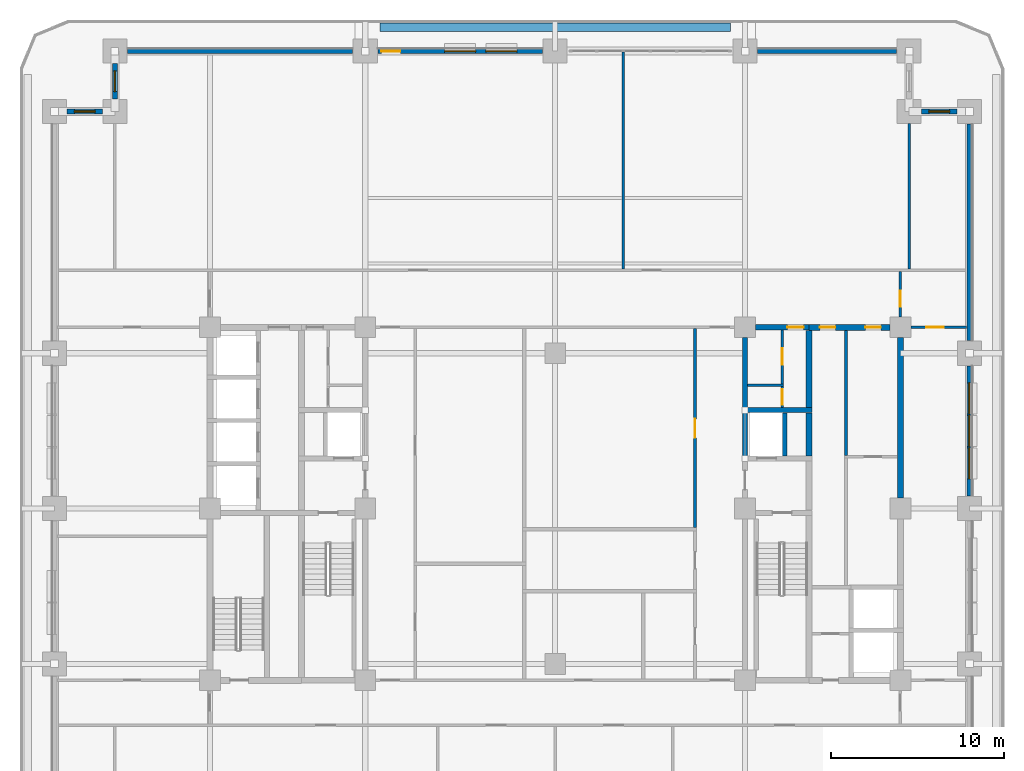
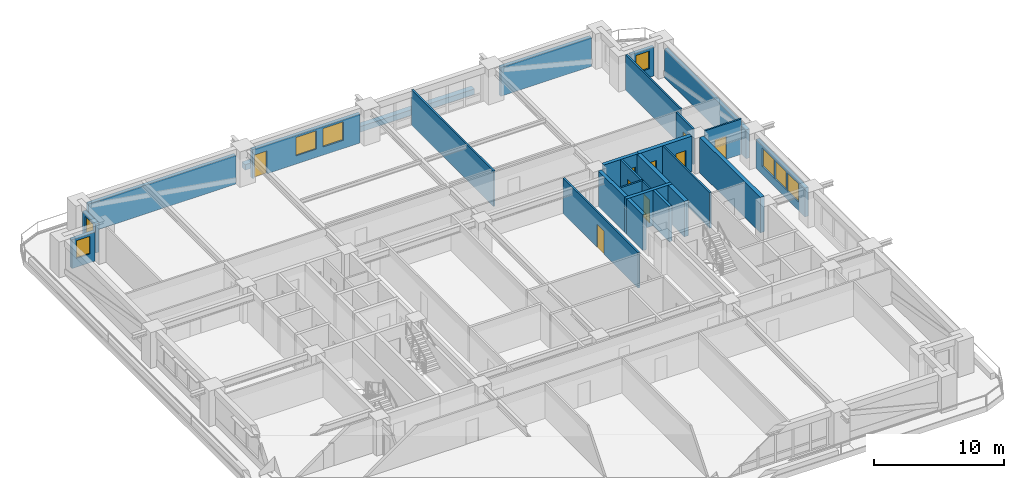
# One storey, part 11 of 20: 27 walls, 9 doors, 8 windows, 17 openings.
"""IFC4 building model written with IfcOpenShell, lengths in metres."""

from ifc_helpers import new_model, si_unit, direction, frame, frame_2d, origin, place, context, subcontext, project, spatial, rectangle, extrude, material, layer, layer_set, type_object, element, fill, save


model = new_model("IFC4")

# Units and contexts
model_context = context("Model", 3, precision=1e-05, world=origin(), true_north=direction((0.0, 1.0)))
body_context = subcontext(model_context, "Body", "Model", "MODEL_VIEW")
ifc_project = project(units=[si_unit("LENGTHUNIT", "METRE"), si_unit("AREAUNIT", "SQUARE_METRE"), si_unit("VOLUMEUNIT", "CUBIC_METRE"), si_unit("PLANEANGLEUNIT", "RADIAN"), si_unit("MASSUNIT", "GRAM", prefix="KILO")], contexts=[model_context])

# Site, building, storey
site_placement = place(None, origin())
site = spatial("IfcSite", under=ifc_project, at=site_placement, CompositionType="ELEMENT")
building_placement = place(site_placement, origin())
building = spatial("IfcBuilding", under=site, at=building_placement, Name="Zulmaris Gate Convention Tower", CompositionType="ELEMENT")
storey_placement = place(building_placement, frame((0.0, 0.0, 71.469970703125)))
storey = spatial("IfcBuildingStorey", under=building, at=storey_placement, Name="L17", CompositionType="ELEMENT", Elevation=71.469970703125)

# Walls
ifc_material_1 = material(Name="Concrete C50/60", Category="concrete")
ifc_layer_1 = layer(ifc_material_1, 0.25, Name="Concrete C50/60")
ifc_layer_set_1 = layer_set([ifc_layer_1], Name="Concrete C50/60")
wall_type_1 = type_object("IfcWallType", Name="CORE-250", PredefinedType="SOLIDWALL", material=ifc_layer_set_1)
wall_1_placement = place(storey_placement, frame((13.300048828125, 3.052001953125, 0.0), z_axis=(0.0, 0.0, 1.0), x_axis=(0.0, 1.0, 0.0)))
element("IfcWall", 1, at=wall_1_placement, inside=storey, type_object=wall_type_1, Name="WL-L17-062", PredefinedType="SOLIDWALL", context=body_context, shape_type="SweptSolid", body=[
    extrude(rectangle(XDim=2.49609375, YDim=0.25, at=frame_2d((1.248046875, 0.0))), origin(), (0.0, 0.0, 1.0), 3.320068359375),
])
ifc_layer_2 = layer(ifc_material_1, 0.300048828125, Name="Concrete C50/60")
ifc_layer_set_2 = layer_set([ifc_layer_2], Name="Concrete C50/60")
wall_type_2 = type_object("IfcWallType", Name="CORE-300", PredefinedType="SHEAR", material=ifc_layer_set_2)
wall_2_placement = place(storey_placement, frame((10.85009765625, 5.699951171875, 0.0), z_axis=(0.0, 0.0, 1.0), x_axis=(1.0, 0.0, 0.0)))
element("IfcWall", 2, at=wall_2_placement, inside=storey, type_object=wall_type_2, Name="WL-L17-014", PredefinedType="SHEAR", context=body_context, shape_type="SweptSolid", body=[
    extrude(rectangle(XDim=4.02490234375, YDim=0.300048828125, at=frame_2d((2.012451171875, 0.0))), origin(), (0.0, 0.0, 1.0), 3.320068359375),
])

# Wall, opening, door
wall_3_placement = place(storey_placement, frame((11.60400390625, 10.5, 0.0), z_axis=(0.0, 0.0, 1.0), x_axis=(1.0, 0.0, 0.0)))
wall_3 = element("IfcWall", 3, at=wall_3_placement, inside=storey, type_object=wall_type_2, Name="WL-L17-018", PredefinedType="SHEAR", context=body_context, shape_type="SweptSolid", body=[
    extrude(rectangle(XDim=3.095947265625, YDim=0.300048828125, at=frame_2d((1.5478515625, 0.0))), origin(), (0.0, 0.0, 1.0), 3.320068359375),
])
opening_1_placement = place(wall_3_placement, frame((1.841064453125, 0.0, 0.0)))
opening_1 = element("IfcOpeningElement", 4, at=opening_1_placement, cuts=wall_3, Name="Opening D-11", PredefinedType="OPENING", context=body_context, shape_type="SweptSolid", body=[
    extrude(rectangle(XDim=0.949951171875, YDim=2.14990234375, at=frame_2d((0.47509765625, 1.074951171875))), frame((0.0, 0.16015625, 0.0), z_axis=(0.0, -1.0, 0.0), x_axis=(1.0, 0.0, 0.0)), (0.0, 0.0, 1.0), 0.320068359375),
])
ifc_material_2 = material(Name="Fire-Rated Timber", Category="wood")
door_type_1 = type_object("IfcDoorType", Name="DR-950-FD", OperationType="NOTDEFINED", PredefinedType="DOOR", material=ifc_material_2)
door_1_placement = place(opening_1_placement, origin())
door_1 = element("IfcDoor", 5, at=door_1_placement, inside=storey, type_object=door_type_1, Name="L17 Core East Passage Door 10", OperationType="SINGLE_SWING_LEFT", OverallHeight=2.14990234375, OverallWidth=0.949951171875, PredefinedType="DOOR", context=body_context, shape_type="SweptSolid", body=[
    extrude(rectangle(XDim=0.949951171875, YDim=2.14990234375, at=frame_2d((0.47509765625, 1.074951171875))), frame((0.0, 0.02490234375, 0.0), z_axis=(0.0, -1.0, 0.0), x_axis=(1.0, 0.0, 0.0)), (0.0, 0.0, 1.0), 0.050048828125),
])
fill(opening_1, door_1)

# Walls
wall_4_placement = place(storey_placement, frame((11.0, 3.052001953125, 0.0), z_axis=(0.0, 0.0, 1.0), x_axis=(0.0, 1.0, 0.0)))
element("IfcWall", 6, at=wall_4_placement, inside=storey, type_object=wall_type_2, Name="WL-L17-059", PredefinedType="SHEAR", context=body_context, shape_type="SweptSolid", body=[
    extrude(rectangle(XDim=2.49609375, YDim=0.300048828125, at=frame_2d((1.248046875, 0.0))), origin(), (0.0, 0.0, 1.0), 3.320068359375),
])
wall_5_placement = place(storey_placement, frame((11.0, 5.85205078125, 0.0), z_axis=(0.0, 0.0, 1.0), x_axis=(0.0, 1.0, 0.0)))
element("IfcWall", 7, at=wall_5_placement, inside=storey, type_object=wall_type_2, Name="WL-L17-060", PredefinedType="SHEAR", context=body_context, shape_type="SweptSolid", body=[
    extrude(rectangle(XDim=4.0439453125, YDim=0.300048828125, at=frame_2d((2.02197265625, 0.0))), origin(), (0.0, 0.0, 1.0), 3.320068359375),
])

# Wall, openings, doors
ifc_material_3 = material(Name="Concrete C55/67", Category="concrete")
ifc_layer_3 = layer(ifc_material_3, 0.35009765625, Name="Concrete C55/67")
ifc_layer_set_3 = layer_set([ifc_layer_3], Name="Concrete C55/67")
wall_type_3 = type_object("IfcWallType", Name="CORE-350", PredefinedType="SHEAR", material=ifc_layer_set_3)
wall_6_placement = place(storey_placement, frame((14.699951171875, 10.5, 0.0), z_axis=(0.0, 0.0, 1.0), x_axis=(1.0, 0.0, 0.0)))
wall_6 = element("IfcWall", 8, at=wall_6_placement, inside=storey, type_object=wall_type_3, Name="WL-L17-019", PredefinedType="SHEAR", context=body_context, shape_type="SweptSolid", body=[
    extrude(rectangle(XDim=4.696044921875, YDim=0.35009765625, at=frame_2d((2.34814453125, 0.0))), origin(), (0.0, 0.0, 1.0), 3.320068359375),
])
opening_2_placement = place(wall_6_placement, frame((0.6298828125, 0.0, 0.0)))
opening_2 = element("IfcOpeningElement", 9, at=opening_2_placement, cuts=wall_6, Name="Opening D-12", PredefinedType="OPENING", context=body_context, shape_type="SweptSolid", body=[
    extrude(rectangle(XDim=0.89990234375, YDim=2.14990234375, at=frame_2d((0.449951171875, 1.074951171875))), frame((0.0, 0.18505859375, 0.0), z_axis=(0.0, -1.0, 0.0), x_axis=(1.0, 0.0, 0.0)), (0.0, 0.0, 1.0), 0.3701171875),
])
opening_3_placement = place(wall_6_placement, frame((3.27001953125, 0.0, 0.0)))
opening_3 = element("IfcOpeningElement", 10, at=opening_3_placement, cuts=wall_6, Name="Opening D-12", PredefinedType="OPENING", context=body_context, shape_type="SweptSolid", body=[
    extrude(rectangle(XDim=0.89990234375, YDim=2.14990234375, at=frame_2d((0.449951171875, 1.074951171875))), frame((0.0, 0.18505859375, 0.0), z_axis=(0.0, -1.0, 0.0), x_axis=(1.0, 0.0, 0.0)), (0.0, 0.0, 1.0), 0.3701171875),
])
door_type_2 = type_object("IfcDoorType", Name="DR-900-FD", OperationType="NOTDEFINED", PredefinedType="DOOR", material=ifc_material_2)
door_2_placement = place(opening_2_placement, origin())
door_2 = element("IfcDoor", 11, at=door_2_placement, inside=storey, type_object=door_type_2, Name="L17 East Comms Door 21", OperationType="SINGLE_SWING_RIGHT", OverallHeight=2.14990234375, OverallWidth=0.89990234375, PredefinedType="DOOR", context=body_context, shape_type="SweptSolid", body=[
    extrude(rectangle(XDim=0.89990234375, YDim=2.14990234375, at=frame_2d((0.449951171875, 1.074951171875))), frame((0.0, 0.02490234375, 0.0), z_axis=(0.0, -1.0, 0.0), x_axis=(1.0, 0.0, 0.0)), (0.0, 0.0, 1.0), 0.050048828125),
])
fill(opening_2, door_2)
door_3_placement = place(opening_3_placement, origin())
door_3 = element("IfcDoor", 12, at=door_3_placement, inside=storey, type_object=door_type_2, Name="L17 East Archive Vault Door 22", OperationType="SINGLE_SWING_LEFT", OverallHeight=2.14990234375, OverallWidth=0.89990234375, PredefinedType="DOOR", context=body_context, shape_type="SweptSolid", body=[
    extrude(rectangle(XDim=0.89990234375, YDim=2.14990234375, at=frame_2d((0.449951171875, 1.074951171875))), frame((0.0, 0.02490234375, 0.0), z_axis=(0.0, -1.0, 0.0), x_axis=(1.0, 0.0, 0.0)), (0.0, 0.0, 1.0), 0.050048828125),
])
fill(opening_3, door_3)

# Walls
wall_7_placement = place(storey_placement, frame((14.699951171875, 3.052001953125, 0.0), z_axis=(0.0, 0.0, 1.0), x_axis=(0.0, 1.0, 0.0)))
element("IfcWall", 13, at=wall_7_placement, inside=storey, type_object=wall_type_3, Name="WL-L17-065", PredefinedType="SHEAR", context=body_context, shape_type="SweptSolid", body=[
    extrude(rectangle(XDim=2.49609375, YDim=0.35009765625, at=frame_2d((1.248046875, 0.0))), origin(), (0.0, 0.0, 1.0), 3.320068359375),
])
wall_8_placement = place(storey_placement, frame((14.699951171875, 5.85205078125, 0.0), z_axis=(0.0, 0.0, 1.0), x_axis=(0.0, 1.0, 0.0)))
element("IfcWall", 14, at=wall_8_placement, inside=storey, type_object=wall_type_3, Name="WL-L17-066", PredefinedType="SHEAR", context=body_context, shape_type="SweptSolid", body=[
    extrude(rectangle(XDim=4.470947265625, YDim=0.35009765625, at=frame_2d((2.2353515625, 0.0))), origin(), (0.0, 0.0, 1.0), 3.320068359375),
])
wall_9_placement = place(storey_placement, frame((20.0, 0.60400390625, 0.0), z_axis=(0.0, 0.0, 1.0), x_axis=(0.0, 1.0, 0.0)))
element("IfcWall", 15, at=wall_9_placement, inside=storey, type_object=wall_type_3, Name="WL-L17-071S1", PredefinedType="SHEAR", context=body_context, shape_type="SweptSolid", body=[
    extrude(rectangle(XDim=9.2919921875, YDim=0.35009765625, at=frame_2d((4.64599609375, 0.0))), origin(), (0.0, 0.0, 1.0), 3.320068359375),
])
ifc_material_4 = material(Name="Gypsum Metal Stud Partition")
ifc_layer_4 = layer(ifc_material_4, 0.14990234375, Name="Gypsum Metal Stud Partition")
ifc_layer_set_4 = layer_set([ifc_layer_4], Name="Gypsum Metal Stud Partition")
wall_type_4 = type_object("IfcWallType", Name="PART-150", PredefinedType="PARTITIONING", material=ifc_layer_set_4)
wall_10_placement = place(storey_placement, frame((11.153076171875, 7.14990234375, 0.0), z_axis=(0.0, 0.0, 1.0), x_axis=(1.0, 0.0, 0.0)))
element("IfcWall", 16, at=wall_10_placement, inside=storey, type_object=wall_type_4, Name="WL-L17-032", PredefinedType="PARTITIONING", context=body_context, shape_type="SweptSolid", body=[
    extrude(rectangle(XDim=2.072021484375, YDim=0.14990234375, at=frame_2d((1.0361328125, 0.0))), origin(), (0.0, 0.0, 1.0), 3.320068359375),
])

# Wall, opening, door
wall_11_placement = place(storey_placement, frame((20.60595703125, 10.5, 0.0), z_axis=(0.0, 0.0, 1.0), x_axis=(1.0, 0.0, 0.0)))
wall_11 = element("IfcWall", 17, at=wall_11_placement, inside=storey, type_object=wall_type_4, Name="WL-L17-035", PredefinedType="PARTITIONING", context=body_context, shape_type="SweptSolid", body=[
    extrude(rectangle(XDim=3.22900390625, YDim=0.14990234375, at=frame_2d((1.614501953125, 0.0))), origin(), (0.0, 0.0, 1.0), 3.320068359375),
])
opening_4_placement = place(wall_11_placement, frame((0.89404296875, 0.0, 0.0)))
opening_4 = element("IfcOpeningElement", 18, at=opening_4_placement, cuts=wall_11, Name="Opening D-10", PredefinedType="OPENING", context=body_context, shape_type="SweptSolid", body=[
    extrude(rectangle(XDim=1.0, YDim=2.14990234375, at=frame_2d((0.5, 1.074951171875))), frame((0.0, 0.0849609375, 0.0), z_axis=(0.0, -1.0, 0.0), x_axis=(1.0, 0.0, 0.0)), (0.0, 0.0, 1.0), 0.169921875),
])
door_type_3 = type_object("IfcDoorType", Name="DR-1000-FD", OperationType="NOTDEFINED", PredefinedType="DOOR", material=ifc_material_2)
door_4_placement = place(opening_4_placement, origin())
door_4 = element("IfcDoor", 19, at=door_4_placement, inside=storey, type_object=door_type_3, Name="L17 East Workplace North Door 46", OperationType="SINGLE_SWING_LEFT", OverallHeight=2.14990234375, OverallWidth=1.0, PredefinedType="DOOR", context=body_context, shape_type="SweptSolid", body=[
    extrude(rectangle(XDim=1.0, YDim=2.14990234375, at=frame_2d((0.5, 1.074951171875))), frame((0.0, 0.02490234375, 0.0), z_axis=(0.0, -1.0, 0.0), x_axis=(1.0, 0.0, 0.0)), (0.0, 0.0, 1.0), 0.050048828125),
])
fill(opening_4, door_4)

# Wall
wall_12_placement = place(storey_placement, frame((3.949951171875, 13.8779296875, 0.0), z_axis=(0.0, 0.0, 1.0), x_axis=(0.0, 1.0, 0.0)))
element("IfcWall", 20, at=wall_12_placement, inside=storey, type_object=wall_type_4, Name="WL-L17-086", PredefinedType="PARTITIONING", context=body_context, shape_type="SweptSolid", body=[
    extrude(rectangle(XDim=12.56201171875, YDim=0.14990234375, at=frame_2d((6.281005859375, 0.0))), origin(), (0.0, 0.0, 1.0), 3.320068359375),
])

# Wall, opening, door
wall_13_placement = place(storey_placement, frame((8.10009765625, -1.096923828125, 0.0), z_axis=(0.0, 0.0, 1.0), x_axis=(0.0, 1.0, 0.0)))
wall_13 = element("IfcWall", 21, at=wall_13_placement, inside=storey, type_object=wall_type_4, Name="WL-L17-091", PredefinedType="PARTITIONING", context=body_context, shape_type="SweptSolid", body=[
    extrude(rectangle(XDim=11.51904296875, YDim=0.14990234375, at=frame_2d((5.759521484375, 0.0))), origin(), (0.0, 0.0, 1.0), 3.320068359375),
])
opening_5_placement = place(wall_13_placement, frame((5.197021484375, 0.0, 0.0)))
opening_5 = element("IfcOpeningElement", 22, at=opening_5_placement, cuts=wall_13, Name="Opening D-08", PredefinedType="OPENING", context=body_context, shape_type="SweptSolid", body=[
    extrude(rectangle(XDim=1.10009765625, YDim=2.14990234375, at=frame_2d((0.550048828125, 1.074951171875))), frame((0.0, 0.0849609375, 0.0), z_axis=(0.0, -1.0, 0.0), x_axis=(1.0, 0.0, 0.0)), (0.0, 0.0, 1.0), 0.169921875),
])
ifc_material_5 = material(Name="Fire-Rated Steel", Category="steel")
door_type_4 = type_object("IfcDoorType", Name="DR-1100-FD", OperationType="NOTDEFINED", PredefinedType="DOOR", material=ifc_material_5)
door_5_placement = place(opening_5_placement, origin())
door_5 = element("IfcDoor", 23, at=door_5_placement, inside=storey, type_object=door_type_4, Name="L17 Seminar Forum Door 36", OperationType="SINGLE_SWING_LEFT", OverallHeight=2.14990234375, OverallWidth=1.10009765625, PredefinedType="DOOR", context=body_context, shape_type="SweptSolid", body=[
    extrude(rectangle(XDim=1.10009765625, YDim=2.14990234375, at=frame_2d((0.550048828125, 1.074951171875))), frame((0.0, 0.02490234375, 0.0), z_axis=(0.0, -1.0, 0.0), x_axis=(1.0, 0.0, 0.0)), (0.0, 0.0, 1.0), 0.050048828125),
])
fill(opening_5, door_5)

wall_14_placement = place(storey_placement, frame((13.14990234375, 5.85302734375, 0.0), z_axis=(0.0, 0.0, 1.0), x_axis=(0.0, 1.0, 0.0)))
wall_14 = element("IfcWall", 24, at=wall_14_placement, inside=storey, type_object=wall_type_4, Name="WL-L17-092", PredefinedType="PARTITIONING", context=body_context, shape_type="SweptSolid", body=[
    extrude(rectangle(XDim=1.218994140625, YDim=0.14990234375, at=frame_2d((0.609375, 0.0))), origin(), (0.0, 0.0, 1.0), 3.320068359375),
])
opening_6_placement = place(wall_14_placement, frame((0.1689453125, 0.0, 0.0)))
opening_6 = element("IfcOpeningElement", 25, at=opening_6_placement, cuts=wall_14, Name="Opening D-12", PredefinedType="OPENING", context=body_context, shape_type="SweptSolid", body=[
    extrude(rectangle(XDim=0.89990234375, YDim=2.14990234375, at=frame_2d((0.449951171875, 1.074951171875))), frame((0.0, 0.0849609375, 0.0), z_axis=(0.0, -1.0, 0.0), x_axis=(1.0, 0.0, 0.0)), (0.0, 0.0, 1.0), 0.169921875),
])
door_6_placement = place(opening_6_placement, origin())
door_6 = element("IfcDoor", 26, at=door_6_placement, inside=storey, type_object=door_type_2, Name="L17 Core Staff WC Door 11", OperationType="SINGLE_SWING_RIGHT", OverallHeight=2.14990234375, OverallWidth=0.89990234375, PredefinedType="DOOR", context=body_context, shape_type="SweptSolid", body=[
    extrude(rectangle(XDim=0.89990234375, YDim=2.14990234375, at=frame_2d((0.449951171875, 1.074951171875))), frame((0.0, 0.02490234375, 0.0), z_axis=(0.0, -1.0, 0.0), x_axis=(1.0, 0.0, 0.0)), (0.0, 0.0, 1.0), 0.050048828125),
])
fill(opening_6, door_6)

wall_15_placement = place(storey_placement, frame((13.14990234375, 7.22802734375, 0.0), z_axis=(0.0, 0.0, 1.0), x_axis=(0.0, 1.0, 0.0)))
wall_15 = element("IfcWall", 27, at=wall_15_placement, inside=storey, type_object=wall_type_4, Name="WL-L17-093", PredefinedType="PARTITIONING", context=body_context, shape_type="SweptSolid", body=[
    extrude(rectangle(XDim=3.118896484375, YDim=0.14990234375, at=frame_2d((1.5595703125, 0.0))), origin(), (0.0, 0.0, 1.0), 3.320068359375),
])
opening_7_placement = place(wall_15_placement, frame((1.096923828125, 0.0, 0.0)))
opening_7 = element("IfcOpeningElement", 28, at=opening_7_placement, cuts=wall_15, Name="Opening D-11", PredefinedType="OPENING", context=body_context, shape_type="SweptSolid", body=[
    extrude(rectangle(XDim=0.949951171875, YDim=2.14990234375, at=frame_2d((0.47509765625, 1.074951171875))), frame((0.0, 0.0849609375, 0.0), z_axis=(0.0, -1.0, 0.0), x_axis=(1.0, 0.0, 0.0)), (0.0, 0.0, 1.0), 0.169921875),
])
door_7_placement = place(opening_7_placement, origin())
door_7 = element("IfcDoor", 29, at=door_7_placement, inside=storey, type_object=door_type_1, Name="L17 Core Hygiene Store Door 12", OperationType="SINGLE_SWING_LEFT", OverallHeight=2.14990234375, OverallWidth=0.949951171875, PredefinedType="DOOR", context=body_context, shape_type="SweptSolid", body=[
    extrude(rectangle(XDim=0.949951171875, YDim=2.14990234375, at=frame_2d((0.47509765625, 1.074951171875))), frame((0.0, 0.02490234375, 0.0), z_axis=(0.0, -1.0, 0.0), x_axis=(1.0, 0.0, 0.0)), (0.0, 0.0, 1.0), 0.050048828125),
])
fill(opening_7, door_7)

# Wall
wall_16_placement = place(storey_placement, frame((16.85009765625, 3.077880859375, 0.0), z_axis=(0.0, 0.0, 1.0), x_axis=(0.0, 1.0, 0.0)))
element("IfcWall", 30, at=wall_16_placement, inside=storey, type_object=wall_type_4, Name="WL-L17-095", PredefinedType="PARTITIONING", context=body_context, shape_type="SweptSolid", body=[
    extrude(rectangle(XDim=7.244140625, YDim=0.14990234375, at=frame_2d((3.6220703125, 0.0))), origin(), (0.0, 0.0, 1.0), 3.320068359375),
])

# Wall, opening, door
wall_17_placement = place(storey_placement, frame((20.0, 11.10595703125, 0.0), z_axis=(0.0, 0.0, 1.0), x_axis=(0.0, 1.0, 0.0)))
wall_17 = element("IfcWall", 31, at=wall_17_placement, inside=storey, type_object=wall_type_4, Name="WL-L17-097", PredefinedType="PARTITIONING", context=body_context, shape_type="SweptSolid", body=[
    extrude(rectangle(XDim=2.615966796875, YDim=0.14990234375, at=frame_2d((1.30810546875, 0.0))), origin(), (0.0, 0.0, 1.0), 3.320068359375),
])
opening_8_placement = place(wall_17_placement, frame((0.569091796875, 0.0, 0.0)))
opening_8 = element("IfcOpeningElement", 32, at=opening_8_placement, cuts=wall_17, Name="Opening D-11", PredefinedType="OPENING", context=body_context, shape_type="SweptSolid", body=[
    extrude(rectangle(XDim=0.949951171875, YDim=2.14990234375, at=frame_2d((0.47509765625, 1.074951171875))), frame((0.0, 0.0849609375, 0.0), z_axis=(0.0, -1.0, 0.0), x_axis=(1.0, 0.0, 0.0)), (0.0, 0.0, 1.0), 0.169921875),
])
door_8_placement = place(opening_8_placement, origin())
door_8 = element("IfcDoor", 33, at=door_8_placement, inside=storey, type_object=door_type_1, Name="L17 NE Spur Door 44", OperationType="SINGLE_SWING_LEFT", OverallHeight=2.14990234375, OverallWidth=0.949951171875, PredefinedType="DOOR", context=body_context, shape_type="SweptSolid", body=[
    extrude(rectangle(XDim=0.949951171875, YDim=2.14990234375, at=frame_2d((0.47509765625, 1.074951171875))), frame((0.0, 0.02490234375, 0.0), z_axis=(0.0, -1.0, 0.0), x_axis=(1.0, 0.0, 0.0)), (0.0, 0.0, 1.0), 0.050048828125),
])
fill(opening_8, door_8)

# Walls
wall_18_placement = place(storey_placement, frame((20.5, 13.8779296875, 0.0), z_axis=(0.0, 0.0, 1.0), x_axis=(0.0, 1.0, 0.0)))
element("IfcWall", 34, at=wall_18_placement, inside=storey, type_object=wall_type_4, Name="WL-L17-099", PredefinedType="PARTITIONING", context=body_context, shape_type="SweptSolid", body=[
    extrude(rectangle(XDim=8.416015625, YDim=0.14990234375, at=frame_2d((4.2080078125, 0.0))), origin(), (0.0, 0.0, 1.0), 3.320068359375),
])
ifc_material_6 = material(Name="Botanical Green Glazed Precast Concrete C40/50", Category="concrete")
ifc_layer_5 = layer(ifc_material_6, 0.419921875, Name="Botanical Green Glazed Precast Concrete C40/50")
ifc_layer_set_5 = layer_set([ifc_layer_5], Name="Botanical Green Glazed Precast Concrete C40/50")
wall_type_5 = type_object("IfcWallType", Name="PLANTER-CURB-200", PredefinedType="PARAPET", material=ifc_layer_set_5)
wall_19_placement = place(storey_placement, frame((-10.14990234375, 27.8798828125, -0.0400390625), z_axis=(0.0, 0.0, 1.0), x_axis=(1.0, 0.0, 0.0)))
element("IfcWall", 35, at=wall_19_placement, inside=storey, type_object=wall_type_5, Name="L17 Full-Length Balcony Tree Planter Trough", PredefinedType="PARAPET", context=body_context, shape_type="SweptSolid", body=[
    extrude(rectangle(XDim=20.2998046875, YDim=0.47998046875, at=frame_2d((10.14990234375, 0.0))), origin(), (0.0, 0.0, 1.0), 0.52001953125),
])

# Wall, opening, window
ifc_material_7 = material(Name="Precast concrete C40/50", Category="concrete")
ifc_layer_6 = layer(ifc_material_7, 0.300048828125, Name="Precast concrete C40/50")
ifc_layer_set_6 = layer_set([ifc_layer_6], Name="Precast concrete C40/50")
wall_type_6 = type_object("IfcWallType", Name="PRECAST-PIER-300", PredefinedType="STANDARD", material=ifc_layer_set_6)
wall_20_placement = place(storey_placement, frame((23.27001953125, 23.0, 0.0), z_axis=(0.0, 0.0, 1.0), x_axis=(-1.0, 0.0, 0.0)))
wall_20 = element("IfcWall", 36, at=wall_20_placement, inside=storey, type_object=wall_type_6, Name="EW-L17-NOTCH-NE1_0", PredefinedType="STANDARD", context=body_context, shape_type="SweptSolid", body=[
    extrude(rectangle(XDim=2.0400390625, YDim=0.300048828125, at=frame_2d((1.02001953125, 0.0))), origin(), (0.0, 0.0, 1.0), 2.7119140625),
])
opening_9_placement = place(wall_20_placement, frame((0.419921875, 0.0, 0.820068359375)))
opening_9 = element("IfcOpeningElement", 37, at=opening_9_placement, cuts=wall_20, Name="Opening W-04", PredefinedType="OPENING", context=body_context, shape_type="SweptSolid", body=[
    extrude(rectangle(XDim=1.199951171875, YDim=1.64990234375, at=frame_2d((0.60009765625, 0.824951171875))), frame((0.0, 0.16015625, 0.0), z_axis=(0.0, -1.0, 0.0), x_axis=(1.0, 0.0, 0.0)), (0.0, 0.0, 1.0), 0.320068359375),
])
ifc_material_8 = material(Name="Low-E Laminated Double Glazing in Aluminium Frame", Category="aluminium")
window_type_1 = type_object("IfcWindowType", Name="WIN-1200x2100", PartitioningType="SINGLE_PANEL", PredefinedType="WINDOW", material=ifc_material_8)
window_1_placement = place(opening_9_placement, origin())
window_1 = element("IfcWindow", 38, at=window_1_placement, inside=storey, type_object=window_type_1, Name="WN-EW-L17-NOTCH-NE1_0", OverallHeight=1.64990234375, OverallWidth=1.199951171875, PartitioningType="SINGLE_PANEL", PredefinedType="WINDOW", context=body_context, shape_type="SweptSolid", body=[
    extrude(rectangle(XDim=1.199951171875, YDim=1.64990234375, at=frame_2d((0.60009765625, 0.824951171875))), frame((0.0, 0.030029296875, 0.0), z_axis=(0.0, -1.0, 0.0), x_axis=(1.0, 0.0, 0.0)), (0.0, 0.0, 1.0), 0.06005859375),
])
fill(opening_9, window_1)

wall_21_placement = place(storey_placement, frame((-25.5, 25.77001953125, 0.0), z_axis=(0.0, 0.0, 1.0), x_axis=(0.0, -1.0, 0.0)))
wall_21 = element("IfcWall", 39, at=wall_21_placement, inside=storey, type_object=wall_type_6, Name="EW-L17-NOTCH-NW1_0", PredefinedType="STANDARD", context=body_context, shape_type="SweptSolid", body=[
    extrude(rectangle(XDim=2.0400390625, YDim=0.300048828125, at=frame_2d((1.02001953125, 0.0))), origin(), (0.0, 0.0, 1.0), 2.7119140625),
])
opening_10_placement = place(wall_21_placement, frame((0.419921875, 0.0, 0.820068359375)))
opening_10 = element("IfcOpeningElement", 40, at=opening_10_placement, cuts=wall_21, Name="Opening W-04", PredefinedType="OPENING", context=body_context, shape_type="SweptSolid", body=[
    extrude(rectangle(XDim=1.199951171875, YDim=1.64990234375, at=frame_2d((0.60009765625, 0.824951171875))), frame((0.0, 0.16015625, 0.0), z_axis=(0.0, -1.0, 0.0), x_axis=(1.0, 0.0, 0.0)), (0.0, 0.0, 1.0), 0.320068359375),
])
window_2_placement = place(opening_10_placement, origin())
window_2 = element("IfcWindow", 41, at=window_2_placement, inside=storey, type_object=window_type_1, Name="WN-EW-L17-NOTCH-NW1_0", OverallHeight=1.64990234375, OverallWidth=1.199951171875, PartitioningType="SINGLE_PANEL", PredefinedType="WINDOW", context=body_context, shape_type="SweptSolid", body=[
    extrude(rectangle(XDim=1.199951171875, YDim=1.64990234375, at=frame_2d((0.60009765625, 0.824951171875))), frame((0.0, 0.030029296875, 0.0), z_axis=(0.0, -1.0, 0.0), x_axis=(1.0, 0.0, 0.0)), (0.0, 0.0, 1.0), 0.06005859375),
])
fill(opening_10, window_2)

wall_22_placement = place(storey_placement, frame((-26.22998046875, 23.0, 0.0), z_axis=(0.0, 0.0, 1.0), x_axis=(-1.0, 0.0, 0.0)))
wall_22 = element("IfcWall", 42, at=wall_22_placement, inside=storey, type_object=wall_type_6, Name="EW-L17-NOTCH-NW2_0", PredefinedType="STANDARD", context=body_context, shape_type="SweptSolid", body=[
    extrude(rectangle(XDim=2.0400390625, YDim=0.300048828125, at=frame_2d((1.02001953125, 0.0))), origin(), (0.0, 0.0, 1.0), 2.7119140625),
])
opening_11_placement = place(wall_22_placement, frame((0.419921875, 0.0, 0.820068359375)))
opening_11 = element("IfcOpeningElement", 43, at=opening_11_placement, cuts=wall_22, Name="Opening W-04", PredefinedType="OPENING", context=body_context, shape_type="SweptSolid", body=[
    extrude(rectangle(XDim=1.199951171875, YDim=1.64990234375, at=frame_2d((0.60009765625, 0.824951171875))), frame((0.0, 0.16015625, 0.0), z_axis=(0.0, -1.0, 0.0), x_axis=(1.0, 0.0, 0.0)), (0.0, 0.0, 1.0), 0.320068359375),
])
window_3_placement = place(opening_11_placement, origin())
window_3 = element("IfcWindow", 44, at=window_3_placement, inside=storey, type_object=window_type_1, Name="WN-EW-L17-NOTCH-NW2_0", OverallHeight=1.64990234375, OverallWidth=1.199951171875, PartitioningType="SINGLE_PANEL", PredefinedType="WINDOW", context=body_context, shape_type="SweptSolid", body=[
    extrude(rectangle(XDim=1.199951171875, YDim=1.64990234375, at=frame_2d((0.60009765625, 0.824951171875))), frame((0.0, 0.030029296875, 0.0), z_axis=(0.0, -1.0, 0.0), x_axis=(1.0, 0.0, 0.0)), (0.0, 0.0, 1.0), 0.06005859375),
])
fill(opening_11, window_3)

# Wall
wall_23_placement = place(storey_placement, frame((-11.72998046875, 26.5, 0.0), z_axis=(0.0, 0.0, 1.0), x_axis=(-1.0, 0.0, 0.0)))
element("IfcWall", 45, at=wall_23_placement, inside=storey, type_object=wall_type_6, Name="EW-L17-N-0_0", PredefinedType="STANDARD", context=body_context, shape_type="SweptSolid", body=[
    extrude(rectangle(XDim=13.0400390625, YDim=0.300048828125, at=frame_2d((6.52001953125, 0.0))), origin(), (0.0, 0.0, 1.0), 2.7119140625),
])

# Wall, openings, door, windows
wall_24_placement = place(storey_placement, frame((-0.72998046875, 26.5, 0.0), z_axis=(0.0, 0.0, 1.0), x_axis=(-1.0, 0.0, 0.0)))
wall_24 = element("IfcWall", 46, at=wall_24_placement, inside=storey, type_object=wall_type_6, Name="EW-L17-N-1_0", PredefinedType="STANDARD", context=body_context, shape_type="SweptSolid", body=[
    extrude(rectangle(XDim=9.5400390625, YDim=0.300048828125, at=frame_2d((4.77001953125, 0.0))), origin(), (0.0, 0.0, 1.0), 2.7119140625),
])
opening_12_placement = place(wall_24_placement, frame((8.239990234375, 0.0, 0.0)))
opening_12 = element("IfcOpeningElement", 47, at=opening_12_placement, cuts=wall_24, Name="Opening D-04", PredefinedType="OPENING", context=body_context, shape_type="SweptSolid", body=[
    extrude(rectangle(XDim=1.10009765625, YDim=2.14990234375, at=frame_2d((0.550048828125, 1.074951171875))), frame((0.0, 0.16015625, 0.0), z_axis=(0.0, -1.0, 0.0), x_axis=(1.0, 0.0, 0.0)), (0.0, 0.0, 1.0), 0.320068359375),
])
opening_13_placement = place(wall_24_placement, frame((1.485107421875, 0.0, 0.780029296875)))
opening_13 = element("IfcOpeningElement", 48, at=opening_13_placement, cuts=wall_24, Name="Opening W-02", PredefinedType="OPENING", context=body_context, shape_type="SweptSolid", body=[
    extrude(rectangle(XDim=1.800048828125, YDim=1.719970703125, at=frame_2d((0.89990234375, 0.85986328125))), frame((0.0, 0.16015625, 0.0), z_axis=(0.0, -1.0, 0.0), x_axis=(1.0, 0.0, 0.0)), (0.0, 0.0, 1.0), 0.320068359375),
])
opening_14_placement = place(wall_24_placement, frame((3.8701171875, 0.0, 0.780029296875)))
opening_14 = element("IfcOpeningElement", 49, at=opening_14_placement, cuts=wall_24, Name="Opening W-02", PredefinedType="OPENING", context=body_context, shape_type="SweptSolid", body=[
    extrude(rectangle(XDim=1.800048828125, YDim=1.719970703125, at=frame_2d((0.89990234375, 0.85986328125))), frame((0.0, 0.16015625, 0.0), z_axis=(0.0, -1.0, 0.0), x_axis=(1.0, 0.0, 0.0)), (0.0, 0.0, 1.0), 0.320068359375),
])
ifc_material_9 = material(Name="Anodised Aluminium and Laminated Glass", Category="aluminium")
door_type_5 = type_object("IfcDoorType", Name="ED-1100", OperationType="SINGLE_SWING_RIGHT", PredefinedType="DOOR", material=ifc_material_9)
door_9_placement = place(opening_12_placement, origin())
door_9 = element("IfcDoor", 50, at=door_9_placement, inside=storey, type_object=door_type_5, Name="L17 N Planted Terrace Door", OperationType="SINGLE_SWING_LEFT", OverallHeight=2.14990234375, OverallWidth=1.10009765625, PredefinedType="DOOR", context=body_context, shape_type="SweptSolid", body=[
    extrude(rectangle(XDim=1.10009765625, YDim=2.14990234375, at=frame_2d((0.550048828125, 1.074951171875))), frame((0.0, 0.02490234375, 0.0), z_axis=(0.0, -1.0, 0.0), x_axis=(1.0, 0.0, 0.0)), (0.0, 0.0, 1.0), 0.050048828125),
])
fill(opening_12, door_9)
window_type_2 = type_object("IfcWindowType", Name="WIN-1800x2200", PartitioningType="SINGLE_PANEL", PredefinedType="WINDOW", material=ifc_material_8)
window_4_placement = place(opening_13_placement, origin())
window_4 = element("IfcWindow", 51, at=window_4_placement, inside=storey, type_object=window_type_2, Name="WN-EW-L17-N-1_0-1", OverallHeight=1.719970703125, OverallWidth=1.800048828125, PartitioningType="SINGLE_PANEL", PredefinedType="WINDOW", context=body_context, shape_type="SweptSolid", body=[
    extrude(rectangle(XDim=1.800048828125, YDim=1.719970703125, at=frame_2d((0.89990234375, 0.85986328125))), frame((0.0, 0.030029296875, 0.0), z_axis=(0.0, -1.0, 0.0), x_axis=(1.0, 0.0, 0.0)), (0.0, 0.0, 1.0), 0.06005859375),
])
fill(opening_13, window_4)
window_5_placement = place(opening_14_placement, origin())
window_5 = element("IfcWindow", 52, at=window_5_placement, inside=storey, type_object=window_type_2, Name="WN-EW-L17-N-1_0-2", OverallHeight=1.719970703125, OverallWidth=1.800048828125, PartitioningType="SINGLE_PANEL", PredefinedType="WINDOW", context=body_context, shape_type="SweptSolid", body=[
    extrude(rectangle(XDim=1.800048828125, YDim=1.719970703125, at=frame_2d((0.89990234375, 0.85986328125))), frame((0.0, 0.030029296875, 0.0), z_axis=(0.0, -1.0, 0.0), x_axis=(1.0, 0.0, 0.0)), (0.0, 0.0, 1.0), 0.06005859375),
])
fill(opening_14, window_5)

# Wall
wall_25_placement = place(storey_placement, frame((19.77001953125, 26.5, 0.0), z_axis=(0.0, 0.0, 1.0), x_axis=(-1.0, 0.0, 0.0)))
element("IfcWall", 53, at=wall_25_placement, inside=storey, type_object=wall_type_6, Name="EW-L17-N-3_0", PredefinedType="STANDARD", context=body_context, shape_type="SweptSolid", body=[
    extrude(rectangle(XDim=8.0400390625, YDim=0.300048828125, at=frame_2d((4.02001953125, 0.0))), origin(), (0.0, 0.0, 1.0), 2.7119140625),
])

# Wall, openings, windows
wall_26_placement = place(storey_placement, frame((24.0, 0.72998046875, 0.0), z_axis=(0.0, 0.0, 1.0), x_axis=(0.0, 1.0, 0.0)))
wall_26 = element("IfcWall", 54, at=wall_26_placement, inside=storey, type_object=wall_type_6, Name="EW-L17-E-2_0", PredefinedType="STANDARD", context=body_context, shape_type="SweptSolid", body=[
    extrude(rectangle(XDim=7.5400390625, YDim=0.300048828125, at=frame_2d((3.77001953125, 0.0))), origin(), (0.0, 0.0, 1.0), 2.7119140625),
])
opening_15_placement = place(wall_26_placement, frame((0.985107421875, 0.0, 0.780029296875)))
opening_15 = element("IfcOpeningElement", 55, at=opening_15_placement, cuts=wall_26, Name="Opening W-02", PredefinedType="OPENING", context=body_context, shape_type="SweptSolid", body=[
    extrude(rectangle(XDim=1.800048828125, YDim=1.719970703125, at=frame_2d((0.89990234375, 0.85986328125))), frame((0.0, 0.16015625, 0.0), z_axis=(0.0, -1.0, 0.0), x_axis=(1.0, 0.0, 0.0)), (0.0, 0.0, 1.0), 0.320068359375),
])
opening_16_placement = place(wall_26_placement, frame((2.8701171875, 0.0, 0.780029296875)))
opening_16 = element("IfcOpeningElement", 56, at=opening_16_placement, cuts=wall_26, Name="Opening W-02", PredefinedType="OPENING", context=body_context, shape_type="SweptSolid", body=[
    extrude(rectangle(XDim=1.800048828125, YDim=1.719970703125, at=frame_2d((0.89990234375, 0.85986328125))), frame((0.0, 0.16015625, 0.0), z_axis=(0.0, -1.0, 0.0), x_axis=(1.0, 0.0, 0.0)), (0.0, 0.0, 1.0), 0.320068359375),
])
opening_17_placement = place(wall_26_placement, frame((4.7548828125, 0.0, 0.780029296875)))
opening_17 = element("IfcOpeningElement", 57, at=opening_17_placement, cuts=wall_26, Name="Opening W-02", PredefinedType="OPENING", context=body_context, shape_type="SweptSolid", body=[
    extrude(rectangle(XDim=1.800048828125, YDim=1.719970703125, at=frame_2d((0.89990234375, 0.85986328125))), frame((0.0, 0.16015625, 0.0), z_axis=(0.0, -1.0, 0.0), x_axis=(1.0, 0.0, 0.0)), (0.0, 0.0, 1.0), 0.320068359375),
])
window_6_placement = place(opening_15_placement, origin())
window_6 = element("IfcWindow", 58, at=window_6_placement, inside=storey, type_object=window_type_2, Name="WN-EW-L17-E-2_0-1", OverallHeight=1.719970703125, OverallWidth=1.800048828125, PartitioningType="SINGLE_PANEL", PredefinedType="WINDOW", context=body_context, shape_type="SweptSolid", body=[
    extrude(rectangle(XDim=1.800048828125, YDim=1.719970703125, at=frame_2d((0.89990234375, 0.85986328125))), frame((0.0, 0.030029296875, 0.0), z_axis=(0.0, -1.0, 0.0), x_axis=(1.0, 0.0, 0.0)), (0.0, 0.0, 1.0), 0.06005859375),
])
fill(opening_15, window_6)
window_7_placement = place(opening_16_placement, origin())
window_7 = element("IfcWindow", 59, at=window_7_placement, inside=storey, type_object=window_type_2, Name="WN-EW-L17-E-2_0-2", OverallHeight=1.719970703125, OverallWidth=1.800048828125, PartitioningType="SINGLE_PANEL", PredefinedType="WINDOW", context=body_context, shape_type="SweptSolid", body=[
    extrude(rectangle(XDim=1.800048828125, YDim=1.719970703125, at=frame_2d((0.89990234375, 0.85986328125))), frame((0.0, 0.030029296875, 0.0), z_axis=(0.0, -1.0, 0.0), x_axis=(1.0, 0.0, 0.0)), (0.0, 0.0, 1.0), 0.06005859375),
])
fill(opening_16, window_7)
window_8_placement = place(opening_17_placement, origin())
window_8 = element("IfcWindow", 60, at=window_8_placement, inside=storey, type_object=window_type_2, Name="WN-EW-L17-E-2_0-3", OverallHeight=1.719970703125, OverallWidth=1.800048828125, PartitioningType="SINGLE_PANEL", PredefinedType="WINDOW", context=body_context, shape_type="SweptSolid", body=[
    extrude(rectangle(XDim=1.800048828125, YDim=1.719970703125, at=frame_2d((0.89990234375, 0.85986328125))), frame((0.0, 0.030029296875, 0.0), z_axis=(0.0, -1.0, 0.0), x_axis=(1.0, 0.0, 0.0)), (0.0, 0.0, 1.0), 0.06005859375),
])
fill(opening_17, window_8)

# Wall
wall_27_placement = place(storey_placement, frame((24.0, 9.72998046875, 0.0), z_axis=(0.0, 0.0, 1.0), x_axis=(0.0, 1.0, 0.0)))
element("IfcWall", 61, at=wall_27_placement, inside=storey, type_object=wall_type_6, Name="EW-L17-E-3_0", PredefinedType="STANDARD", context=body_context, shape_type="SweptSolid", body=[
    extrude(rectangle(XDim=12.5400390625, YDim=0.300048828125, at=frame_2d((6.27001953125, 0.0))), origin(), (0.0, 0.0, 1.0), 2.7119140625),
])

save(model, "model.ifc")
